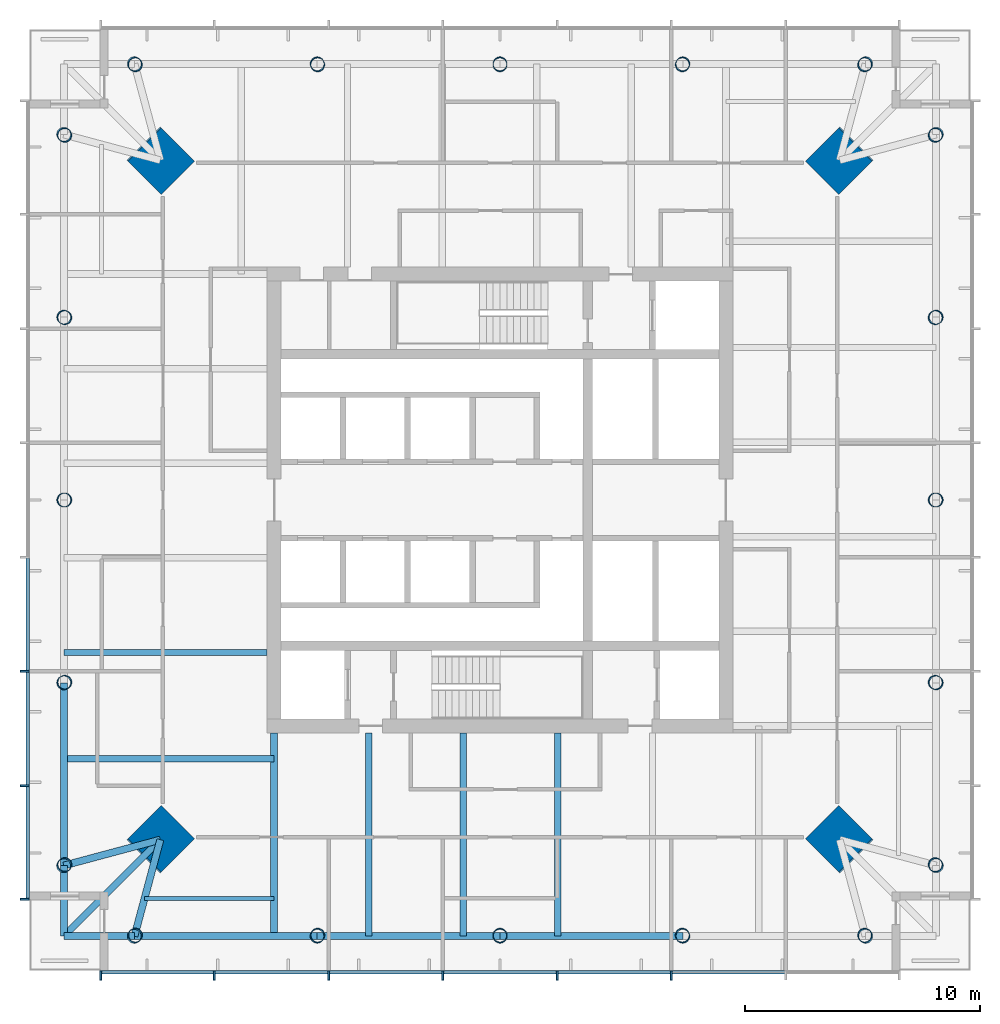
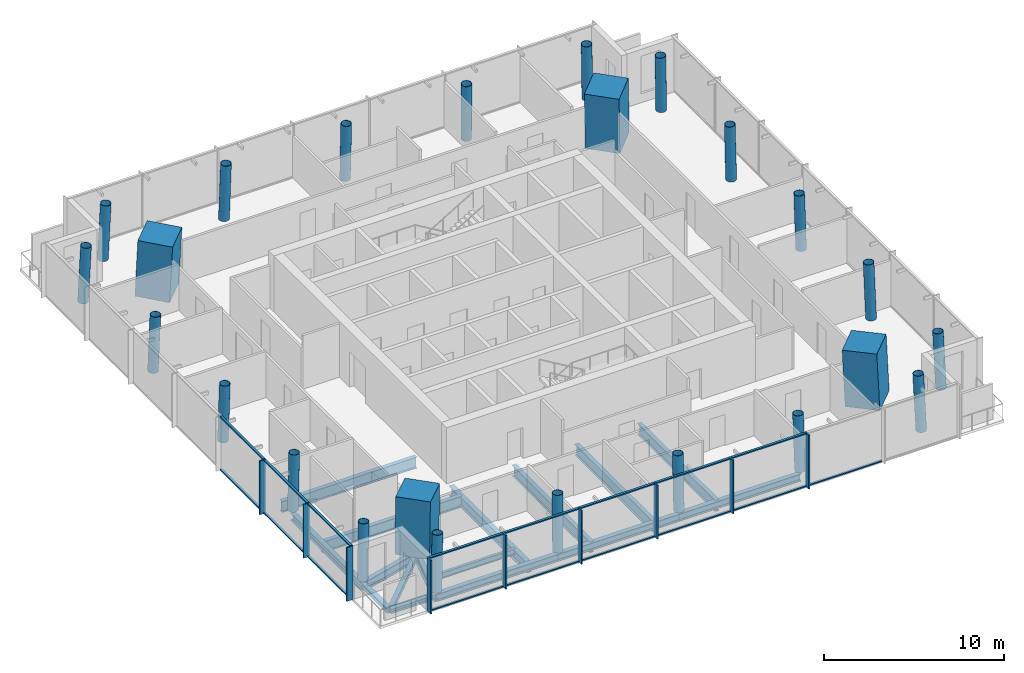
# One storey, part 1 of 9: 26 members, 24 columns, 16 beams, 2 elements without a shape of their own.
"""IFC4 building model written with IfcOpenShell, lengths in metres."""

import ifcopenshell
import ifcopenshell.guid

model = None  # the IFC model being written
_history = None  # IfcOwnerHistory: only IFC2X3 demands one
_inside = {}  # id of a spatial element -> (the spatial element, [elements in it])
_under = {}  # id of a project, library or spatial element -> (it, [spatial elements below it])
_declared = {}  # id of a project -> (the project, [libraries it declares])
_typed = {}  # id of a type object -> (the type object, [elements of that type])
_made_of = {}  # id of a material, layer set ... -> (it, [elements and type objects made of it])


def new_model(schema):
    """Start an empty IFC model of exactly this schema.

    Asked for "IFC4X3", IfcOpenShell would pick the latest addendum, in which some entities
    have other attributes; the version numbers below select the first issue.
    IFC2X3 requires an IfcOwnerHistory on every rooted entity: one is made here for all.
    """
    global model, _history
    if schema == "IFC4X3":
        model = ifcopenshell.file(schema_version=(4, 3, 0, 0))
    else:
        model = ifcopenshell.file(schema=schema)
    _inside.clear()
    _under.clear()
    _declared.clear()
    _typed.clear()
    _made_of.clear()
    _history = None
    if model.schema == "IFC2X3":
        org = make("IfcOrganization", Name="unknown")
        user = make(
            "IfcPersonAndOrganization",
            ThePerson=make("IfcPerson", FamilyName="unknown"),
            TheOrganization=org,
        )
        app = make(
            "IfcApplication",
            ApplicationDeveloper=org,
            Version="unknown",
            ApplicationFullName="unknown",
            ApplicationIdentifier="unknown",
        )
        _history = make(
            "IfcOwnerHistory",
            OwningUser=user,
            OwningApplication=app,
            ChangeAction="ADDED",
            CreationDate=0,
        )
    return model


def make(cls, **values):
    """One entity of the class cls with the attributes given. An attribute that is None is left unset."""
    return model.create_entity(
        cls, **{name: value for name, value in values.items() if value is not None}
    )


def rooted(cls, **values):
    """An entity with a GlobalId (a new one), such as an element, a storey or a relation."""
    return make(cls, GlobalId=ifcopenshell.guid.new(), OwnerHistory=_history, **values)


def si_unit(unit_type, name, prefix=None):
    """IfcSIUnit, for example si_unit("LENGTHUNIT", "METRE", prefix="MILLI")."""
    return make("IfcSIUnit", UnitType=unit_type, Prefix=prefix, Name=name)


def assignment(units):
    """IfcUnitAssignment: the units of a project."""
    return None if units is None else make("IfcUnitAssignment", Units=units)


def point(xyz):
    """IfcCartesianPoint."""
    return None if xyz is None else make("IfcCartesianPoint", Coordinates=xyz)


def direction(xyz):
    """IfcDirection."""
    return None if xyz is None else make("IfcDirection", DirectionRatios=xyz)


def frame(location, z_axis=None, x_axis=None):
    """IfcAxis2Placement3D, a coordinate frame: its origin and axes. An axis left out is left unset."""
    return make(
        "IfcAxis2Placement3D",
        Location=point(location),
        Axis=direction(z_axis),
        RefDirection=direction(x_axis),
    )


def frame_2d(location, x_axis=None):
    """IfcAxis2Placement2D, a coordinate frame in the plane: its origin and x axis."""
    return make(
        "IfcAxis2Placement2D", Location=point(location), RefDirection=direction(x_axis)
    )


def origin():
    """The frame at (0, 0, 0) with its axes left unset."""
    return frame((0.0, 0.0, 0.0))


def origin_2d():
    """The frame at (0, 0) in the plane with its x axis left unset."""
    return frame_2d((0.0, 0.0))


def place(relative_to, where):
    """IfcLocalPlacement: puts the frame where relative to a parent placement (None: the world)."""
    return make(
        "IfcLocalPlacement", PlacementRelTo=relative_to, RelativePlacement=where
    )


def context(
    kind, dimensions, precision=None, world=None, true_north=None, identifier=None
):
    """IfcGeometricRepresentationContext, for example the 3D "Model" context."""
    return make(
        "IfcGeometricRepresentationContext",
        ContextIdentifier=identifier,
        ContextType=kind,
        CoordinateSpaceDimension=dimensions,
        Precision=precision,
        WorldCoordinateSystem=world,
        TrueNorth=true_north,
    )


def subcontext(parent, identifier, kind, view, scale=None):
    """IfcGeometricRepresentationSubContext, for example "Body" below "Model"."""
    return make(
        "IfcGeometricRepresentationSubContext",
        ContextIdentifier=identifier,
        ContextType=kind,
        ParentContext=parent,
        TargetScale=scale,
        TargetView=view,
    )


def project(units=None, contexts=None):
    """IfcProject with its units and contexts."""
    return rooted(
        "IfcProject",
        Name="project",
        RepresentationContexts=contexts,
        UnitsInContext=assignment(units),
    )


def spatial(cls, under=None, at=None, **own):
    """A site, building, storey or space (cls), placed at a placement, below another one or the project."""
    s = rooted(cls, ObjectPlacement=at, **own)
    if under is not None:
        _under.setdefault(under.id(), (under, []))[1].append(s)
    return s


def profile(cls, at=None, kind="AREA", **sizes):
    """A parametric profile (cls). Its sizes go by their IFC names, for example OverallWidth=200.0."""
    return make(cls, ProfileType=kind, Position=at, **sizes)


def rectangle(**sizes):
    """IfcRectangleProfileDef."""
    return profile("IfcRectangleProfileDef", **sizes)


def hollow_circle(**sizes):
    """IfcCircleHollowProfileDef."""
    return profile("IfcCircleHollowProfileDef", **sizes)


def i_section(**sizes):
    """IfcIShapeProfileDef."""
    return profile("IfcIShapeProfileDef", **sizes)


def extrude(swept, where, along, depth):
    """IfcExtrudedAreaSolid: the profile swept, set in the frame where, extruded along a direction by depth."""
    return make(
        "IfcExtrudedAreaSolid",
        SweptArea=swept,
        Position=where,
        ExtrudedDirection=direction(along),
        Depth=depth,
    )


def shape(context_of_items, identifier, shape_type, items):
    """IfcShapeRepresentation: the items that make up one representation, for example the "Body"."""
    return make(
        "IfcShapeRepresentation",
        ContextOfItems=context_of_items,
        RepresentationIdentifier=identifier,
        RepresentationType=shape_type,
        Items=items,
    )


def material(Name=None, Category=None):
    """IfcMaterial."""
    return make("IfcMaterial", Name=Name, Category=Category)


def material_profile(
    of_material, cross_section, Name=None, Category=None, Priority=None
):
    """IfcMaterialProfile: a cross section and its material."""
    return make(
        "IfcMaterialProfile",
        Name=Name,
        Material=of_material,
        Profile=cross_section,
        Priority=Priority,
        Category=Category,
    )


def profile_set(profiles, Name=None, composite=None):
    """IfcMaterialProfileSet."""
    return make(
        "IfcMaterialProfileSet",
        Name=Name,
        MaterialProfiles=profiles,
        CompositeProfile=composite,
    )


def made_of(thing, what):
    """Note that an element or type object is made of a material, layer set ...; save() writes the relation."""
    if what is not None:
        _made_of.setdefault(what.id(), (what, []))[1].append(thing)
    return thing


def type_object(cls, material=None, **own):
    """A type object (cls), such as IfcWallType, which elements share."""
    return made_of(rooted(cls, **own), material)


def element(
    cls,
    number,
    at=None,
    inside=None,
    cuts=None,
    type_object=None,
    material=None,
    context=None,
    identifier="Body",
    shape_type=None,
    held_by="IfcProductDefinitionShape",
    body=None,
    shapes=None,
    **own,
):
    """One element of the class cls, such as IfcWall. Its Tag is "e" and its number.

    at: its placement. inside: the storey or other place that contains it. cuts: it is an
    opening in that element (IfcRelVoidsElement). A single representation is given by context,
    identifier, shape_type and body (its items); several are given by shapes. held_by: the class
    of the entity that holds the representations. save() writes the other relations.
    """
    e = rooted(cls, Tag="e%d" % number, ObjectPlacement=at, **own)
    if body is not None:
        shapes = [shape(context, identifier, shape_type, body)]
    if shapes is not None:
        e.Representation = make(held_by, Representations=shapes)
    if inside is not None:
        _inside.setdefault(inside.id(), (inside, []))[1].append(e)
    if cuts is not None:
        rooted(
            "IfcRelVoidsElement", RelatingBuildingElement=cuts, RelatedOpeningElement=e
        )
    if type_object is not None:
        _typed.setdefault(type_object.id(), (type_object, []))[1].append(e)
    return made_of(e, material)


def aggregate(whole, parts):
    """IfcRelAggregates: a whole, such as a stair, and the parts it consists of."""
    return rooted("IfcRelAggregates", RelatingObject=whole, RelatedObjects=parts)


def save(model, path):
    """Write the relations noted so far, then the file.

    IfcRelAggregates (storeys below a building ...), IfcRelContainedInSpatialStructure (elements
    in a storey), IfcRelDefinesByType, IfcRelAssociatesMaterial and IfcRelDeclares: one each for
    every whole, place, type object, material and project.
    """
    for whole, parts in _under.values():
        aggregate(whole, parts)
    for where, things in _inside.values():
        rooted(
            "IfcRelContainedInSpatialStructure",
            RelatedElements=things,
            RelatingStructure=where,
        )
    for kind, things in _typed.values():
        rooted("IfcRelDefinesByType", RelatedObjects=things, RelatingType=kind)
    for what, things in _made_of.values():
        rooted("IfcRelAssociatesMaterial", RelatedObjects=things, RelatingMaterial=what)
    for by, libraries in _declared.values():
        rooted("IfcRelDeclares", RelatingContext=by, RelatedDefinitions=libraries)
    model.write(path)


model = new_model("IFC4")

# Units and contexts
model_context = context("Model", 3, precision=1e-05, world=origin(), true_north=direction((0.0, 1.0)))
body_context = subcontext(model_context, "Body", "Model", "MODEL_VIEW")
ifc_project = project(units=[si_unit("LENGTHUNIT", "METRE"), si_unit("AREAUNIT", "SQUARE_METRE"), si_unit("VOLUMEUNIT", "CUBIC_METRE"), si_unit("PLANEANGLEUNIT", "RADIAN"), si_unit("MASSUNIT", "GRAM", prefix="KILO")], contexts=[model_context])

# Site, building, storey
site_placement = place(None, origin())
site = spatial("IfcSite", under=ifc_project, at=site_placement, CompositionType="ELEMENT")
building_placement = place(site_placement, origin())
building = spatial("IfcBuilding", under=site, at=building_placement, Name="Ostroluk Exchange", CompositionType="ELEMENT")
storey_placement = place(building_placement, frame((0.0, 0.0, 192.0)))
storey = spatial("IfcBuildingStorey", under=building, at=storey_placement, Name="L49", CompositionType="ELEMENT", Elevation=192.0)

# Columns
ifc_material_1 = material(Name="Concrete C50/60", Category="concrete")
ifc_material_profile_1 = material_profile(ifc_material_1, rectangle(XDim=2.0, YDim=2.0, at=origin_2d()), Name="RC 2000x2000")
ifc_profile_set_1 = profile_set([ifc_material_profile_1], Name="Concrete C50/60")
column_type_1 = type_object("IfcColumnType", Name="Mega column RC 2000x2000", PredefinedType="COLUMN", material=ifc_profile_set_1)
for number, where, z_axis, x_axis, name in (
    (1, (59.435791015625, 60.435791015625, 0.0), (-0.031962158256, -0.031962158256, 0.998977898093), (0.707106781187, -0.707106781187, 0.0), "T1 mega column NE"),
    (2, (30.564208984375, 60.435791015625, 0.0), (0.031962158256, -0.031962158256, 0.998977898093), (0.707106781187, 0.707106781187, 0.0), "T1 mega column NW"),
    (3, (30.564208984375, 31.564208984375, 0.0), (0.031962158256, 0.031962158256, 0.998977898093), (-0.707106781187, 0.707106781187, 0.0), "T1 mega column SW"),
    (4, (59.435791015625, 31.564208984375, 0.0), (-0.031962158256, 0.031962158256, 0.998977898093), (-0.707106781187, -0.707106781187, 0.0), "T1 mega column SE"),
):
    element("IfcColumn", number, at=place(storey_placement, frame(where, z_axis=z_axis, x_axis=x_axis)), inside=storey, type_object=column_type_1, Name=name, PredefinedType="COLUMN", context=body_context, shape_type="SweptSolid", body=[
        extrude(rectangle(XDim=2.0, YDim=2.0, at=origin_2d()), origin(), (0.0, 0.0, 1.0), 3.803955078125),
    ])
ifc_material_2 = material(Name="Steel S460", Category="steel")
ifc_material_profile_2 = material_profile(ifc_material_2, hollow_circle(Radius=0.304931640625, WallThickness=0.02490234375, at=origin_2d()), Name="CHS 610x25")
ifc_profile_set_2 = profile_set([ifc_material_profile_2], Name="Steel S460")
column_type_2 = type_object("IfcColumnType", Name="Perimeter column CHS 610x25", PredefinedType="COLUMN", material=ifc_profile_set_2)
for number, where, z_axis, x_axis, name in (
    (5, (63.53564453125, 30.46435546875, 0.0), (-0.031898107953, 0.031898107953, 0.998981992539), (-0.707106781187, -0.707106781187, 0.0), "T1 east face column E0"),
    (6, (63.53564453125, 61.53564453125, 0.0), (-0.031898107953, -0.031898107953, 0.998981992539), (0.707106781187, -0.707106781187, 0.0), "T1 east face column E1"),
):
    element("IfcColumn", number, at=place(storey_placement, frame(where, z_axis=z_axis, x_axis=x_axis)), inside=storey, type_object=column_type_2, Name=name, PredefinedType="COLUMN", context=body_context, shape_type="SweptSolid", body=[
        extrude(hollow_circle(Radius=0.304931640625, WallThickness=0.02490234375, at=origin_2d()), origin(), (0.0, 0.0, 1.0), 3.803955078125),
    ])
column_1_placement = place(storey_placement, frame((63.53564453125, 38.232177734375, 0.0), z_axis=(-0.031910269556, 0.015987237665, 0.999362868496), x_axis=(-0.447933021895, -0.894067115991, 0.0)))
element("IfcColumn", 7, at=column_1_placement, inside=storey, type_object=column_type_2, Name="T1 east face column I1", PredefinedType="COLUMN", context=body_context, shape_type="SweptSolid", body=[
    extrude(hollow_circle(Radius=0.304931640625, WallThickness=0.02490234375, at=origin_2d()), origin(), (0.0, 0.0, 1.0), 3.802490234375),
])
column_2_placement = place(storey_placement, frame((63.53564453125, 46.0, 0.0), z_axis=(-0.031914348339, 0.0, 0.999490607445), x_axis=(0.0, -1.0, 0.0)))
element("IfcColumn", 8, at=column_2_placement, inside=storey, type_object=column_type_2, Name="T1 east face column I2", PredefinedType="COLUMN", context=body_context, shape_type="SweptSolid", body=[
    extrude(hollow_circle(Radius=0.304931640625, WallThickness=0.02490234375, at=origin_2d()), origin(), (0.0, 0.0, 1.0), 3.802001953125),
])
column_3_placement = place(storey_placement, frame((63.53564453125, 53.767822265625, 0.0), z_axis=(-0.031910269556, -0.015987237665, 0.999362868496), x_axis=(0.447933021895, -0.894067115991, 0.0)))
element("IfcColumn", 9, at=column_3_placement, inside=storey, type_object=column_type_2, Name="T1 east face column I3", PredefinedType="COLUMN", context=body_context, shape_type="SweptSolid", body=[
    extrude(hollow_circle(Radius=0.304931640625, WallThickness=0.02490234375, at=origin_2d()), origin(), (0.0, 0.0, 1.0), 3.802490234375),
])
for number, where, z_axis, x_axis, name in (
    (10, (60.53564453125, 64.53564453125, 0.0), (-0.031898107953, -0.031898107953, 0.998981992539), (0.707106781187, -0.707106781187, 0.0), "T1 north face column E0"),
    (11, (29.46435546875, 64.53564453125, 0.0), (0.031898107953, -0.031898107953, 0.998981992539), (0.707106781187, 0.707106781187, 0.0), "T1 north face column E1"),
):
    element("IfcColumn", number, at=place(storey_placement, frame(where, z_axis=z_axis, x_axis=x_axis)), inside=storey, type_object=column_type_2, Name=name, PredefinedType="COLUMN", context=body_context, shape_type="SweptSolid", body=[
        extrude(hollow_circle(Radius=0.304931640625, WallThickness=0.02490234375, at=origin_2d()), origin(), (0.0, 0.0, 1.0), 3.803955078125),
    ])
column_4_placement = place(storey_placement, frame((52.767822265625, 64.53564453125, 0.0), z_axis=(-0.015987237665, -0.031910269556, 0.999362868496), x_axis=(0.894067115991, -0.447933021895, 0.0)))
element("IfcColumn", 12, at=column_4_placement, inside=storey, type_object=column_type_2, Name="T1 north face column I1", PredefinedType="COLUMN", context=body_context, shape_type="SweptSolid", body=[
    extrude(hollow_circle(Radius=0.304931640625, WallThickness=0.02490234375, at=origin_2d()), origin(), (0.0, 0.0, 1.0), 3.802490234375),
])
column_5_placement = place(storey_placement, frame((45.0, 64.53564453125, 0.0), z_axis=(0.0, -0.031914348339, 0.999490607445), x_axis=(1.0, 0.0, 0.0)))
element("IfcColumn", 13, at=column_5_placement, inside=storey, type_object=column_type_2, Name="T1 north face column I2", PredefinedType="COLUMN", context=body_context, shape_type="SweptSolid", body=[
    extrude(hollow_circle(Radius=0.304931640625, WallThickness=0.02490234375, at=origin_2d()), origin(), (0.0, 0.0, 1.0), 3.802001953125),
])
column_6_placement = place(storey_placement, frame((37.232177734375, 64.53564453125, 0.0), z_axis=(0.015987237665, -0.031910269556, 0.999362868496), x_axis=(0.894067115991, 0.447933021895, 0.0)))
element("IfcColumn", 14, at=column_6_placement, inside=storey, type_object=column_type_2, Name="T1 north face column I3", PredefinedType="COLUMN", context=body_context, shape_type="SweptSolid", body=[
    extrude(hollow_circle(Radius=0.304931640625, WallThickness=0.02490234375, at=origin_2d()), origin(), (0.0, 0.0, 1.0), 3.802490234375),
])
for number, where, z_axis, x_axis, name in (
    (15, (26.46435546875, 61.53564453125, 0.0), (0.031898107953, -0.031898107953, 0.998981992539), (0.707106781187, 0.707106781187, 0.0), "T1 west face column E0"),
    (16, (26.46435546875, 30.46435546875, 0.0), (0.031898107953, 0.031898107953, 0.998981992539), (-0.707106781187, 0.707106781187, 0.0), "T1 west face column E1"),
):
    element("IfcColumn", number, at=place(storey_placement, frame(where, z_axis=z_axis, x_axis=x_axis)), inside=storey, type_object=column_type_2, Name=name, PredefinedType="COLUMN", context=body_context, shape_type="SweptSolid", body=[
        extrude(hollow_circle(Radius=0.304931640625, WallThickness=0.02490234375, at=origin_2d()), origin(), (0.0, 0.0, 1.0), 3.803955078125),
    ])
column_7_placement = place(storey_placement, frame((26.46435546875, 53.767822265625, 0.0), z_axis=(0.031910269556, -0.015987237665, 0.999362868496), x_axis=(0.447933021895, 0.894067115991, 0.0)))
element("IfcColumn", 17, at=column_7_placement, inside=storey, type_object=column_type_2, Name="T1 west face column I1", PredefinedType="COLUMN", context=body_context, shape_type="SweptSolid", body=[
    extrude(hollow_circle(Radius=0.304931640625, WallThickness=0.02490234375, at=origin_2d()), origin(), (0.0, 0.0, 1.0), 3.802490234375),
])
column_8_placement = place(storey_placement, frame((26.46435546875, 46.0, 0.0), z_axis=(0.031914348339, 0.0, 0.999490607445), x_axis=(0.0, 1.0, 0.0)))
element("IfcColumn", 18, at=column_8_placement, inside=storey, type_object=column_type_2, Name="T1 west face column I2", PredefinedType="COLUMN", context=body_context, shape_type="SweptSolid", body=[
    extrude(hollow_circle(Radius=0.304931640625, WallThickness=0.02490234375, at=origin_2d()), origin(), (0.0, 0.0, 1.0), 3.802001953125),
])
column_9_placement = place(storey_placement, frame((26.46435546875, 38.232177734375, 0.0), z_axis=(0.031910269556, 0.015987237665, 0.999362868496), x_axis=(-0.447933021895, 0.894067115991, 0.0)))
element("IfcColumn", 19, at=column_9_placement, inside=storey, type_object=column_type_2, Name="T1 west face column I3", PredefinedType="COLUMN", context=body_context, shape_type="SweptSolid", body=[
    extrude(hollow_circle(Radius=0.304931640625, WallThickness=0.02490234375, at=origin_2d()), origin(), (0.0, 0.0, 1.0), 3.802490234375),
])
for number, where, z_axis, x_axis, name in (
    (20, (29.46435546875, 27.46435546875, 0.0), (0.031898107953, 0.031898107953, 0.998981992539), (-0.707106781187, 0.707106781187, 0.0), "T1 south face column E0"),
    (21, (60.53564453125, 27.46435546875, 0.0), (-0.031898107953, 0.031898107953, 0.998981992539), (-0.707106781187, -0.707106781187, 0.0), "T1 south face column E1"),
):
    element("IfcColumn", number, at=place(storey_placement, frame(where, z_axis=z_axis, x_axis=x_axis)), inside=storey, type_object=column_type_2, Name=name, PredefinedType="COLUMN", context=body_context, shape_type="SweptSolid", body=[
        extrude(hollow_circle(Radius=0.304931640625, WallThickness=0.02490234375, at=origin_2d()), origin(), (0.0, 0.0, 1.0), 3.803955078125),
    ])
column_10_placement = place(storey_placement, frame((37.232177734375, 27.46435546875, 0.0), z_axis=(0.015987237665, 0.031910269556, 0.999362868496), x_axis=(-0.894067115991, 0.447933021895, 0.0)))
element("IfcColumn", 22, at=column_10_placement, inside=storey, type_object=column_type_2, Name="T1 south face column I1", PredefinedType="COLUMN", context=body_context, shape_type="SweptSolid", body=[
    extrude(hollow_circle(Radius=0.304931640625, WallThickness=0.02490234375, at=origin_2d()), origin(), (0.0, 0.0, 1.0), 3.802490234375),
])
column_11_placement = place(storey_placement, frame((45.0, 27.46435546875, 0.0), z_axis=(0.0, 0.031914348339, 0.999490607445), x_axis=(-1.0, 0.0, 0.0)))
element("IfcColumn", 23, at=column_11_placement, inside=storey, type_object=column_type_2, Name="T1 south face column I2", PredefinedType="COLUMN", context=body_context, shape_type="SweptSolid", body=[
    extrude(hollow_circle(Radius=0.304931640625, WallThickness=0.02490234375, at=origin_2d()), origin(), (0.0, 0.0, 1.0), 3.802001953125),
])
column_12_placement = place(storey_placement, frame((52.767822265625, 27.46435546875, 0.0), z_axis=(-0.015987237665, 0.031910269556, 0.999362868496), x_axis=(-0.894067115991, -0.447933021895, 0.0)))
element("IfcColumn", 24, at=column_12_placement, inside=storey, type_object=column_type_2, Name="T1 south face column I3", PredefinedType="COLUMN", context=body_context, shape_type="SweptSolid", body=[
    extrude(hollow_circle(Radius=0.304931640625, WallThickness=0.02490234375, at=origin_2d()), origin(), (0.0, 0.0, 1.0), 3.802490234375),
])

# Beams
ifc_material_3 = material(Name="Steel S355", Category="steel")
ifc_material_profile_3 = material_profile(ifc_material_3, i_section(OverallWidth=0.300048828125, OverallDepth=0.300048828125, WebThickness=0.010986328125, FlangeThickness=0.01904296875, FilletRadius=0.027099609375, at=origin_2d()), Name="HEB 300")
ifc_profile_set_3 = profile_set([ifc_material_profile_3], Name="Steel S355")
beam_type_1 = type_object("IfcBeamType", Name="Balcony beam HEB 300", PredefinedType="BEAM", material=ifc_profile_set_3)
for number, where, z_axis, x_axis, name in (
    (25, (26.46435546875, 30.46435546875, -0.330078125), (0.0, -1.0, 0.0), (1.0, 0.0, 0.0), "T1 west balcony beam a"),
    (26, (29.46435546875, 27.46435546875, -0.330078125), (-1.0, 0.0, 0.0), (0.0, -1.0, 0.0), "T1 west balcony beam b"),
):
    element("IfcBeam", number, at=place(storey_placement, frame(where, z_axis=z_axis, x_axis=x_axis)), inside=storey, type_object=beam_type_1, Name=name, PredefinedType="BEAM", context=body_context, shape_type="SweptSolid", body=[
        extrude(i_section(OverallWidth=0.300048828125, OverallDepth=0.300048828125, WebThickness=0.010986328125, FlangeThickness=0.01904296875, FilletRadius=0.027099609375, at=origin_2d()), origin(), (0.0, 0.0, 1.0), 3.0),
    ])
beam_1_placement = place(storey_placement, frame((30.564208984375, 31.564208984375, -0.330078125), z_axis=(-0.707106781187, -0.707106781187, 0.0), x_axis=(0.707106781187, -0.707106781187, 0.0)))
element("IfcBeam", 27, at=beam_1_placement, inside=storey, type_object=beam_type_1, Name="T1 west balcony beam c", PredefinedType="BEAM", context=body_context, shape_type="SweptSolid", body=[
    extrude(i_section(OverallWidth=0.300048828125, OverallDepth=0.300048828125, WebThickness=0.010986328125, FlangeThickness=0.01904296875, FilletRadius=0.027099609375, at=origin_2d()), origin(), (0.0, 0.0, 1.0), 5.798095703125),
])
ifc_material_4 = material(Name="Steel S355", Category="steel")
ifc_material_profile_4 = material_profile(ifc_material_4, i_section(OverallWidth=0.300048828125, OverallDepth=0.60009765625, WebThickness=0.015380859375, FlangeThickness=0.030029296875, FilletRadius=0.027099609375, at=origin_2d()), Name="HEB 600")
ifc_profile_set_4 = profile_set([ifc_material_profile_4], Name="Steel S355")
beam_type_2 = type_object("IfcBeamType", Name="Corner edge beam HEB 600", PredefinedType="SPANDREL", material=ifc_profile_set_4)
for number, where, z_axis, x_axis, name in (
    (28, (30.564208984375, 31.564208984375, -0.47998046875), (-0.965849156574, -0.259105011038, 0.0), (0.259105011038, -0.965849156574, 0.0), "T1 west corner edge beam a"),
    (29, (30.564208984375, 31.564208984375, -0.47998046875), (-0.259105011038, -0.965849156574, 0.0), (0.965849156574, -0.259105011038, 0.0), "T1 west corner edge beam b"),
):
    element("IfcBeam", number, at=place(storey_placement, frame(where, z_axis=z_axis, x_axis=x_axis)), inside=storey, type_object=beam_type_2, Name=name, PredefinedType="SPANDREL", context=body_context, shape_type="SweptSolid", body=[
        extrude(i_section(OverallWidth=0.300048828125, OverallDepth=0.60009765625, WebThickness=0.015380859375, FlangeThickness=0.030029296875, FilletRadius=0.027099609375, at=origin_2d()), origin(), (0.0, 0.0, 1.0), 4.244873046875),
    ])
ifc_material_5 = material(Name="Steel S355", Category="steel")
ifc_material_profile_5 = material_profile(ifc_material_5, i_section(OverallWidth=0.179931640625, OverallDepth=0.39990234375, WebThickness=0.008544921875, FlangeThickness=0.013427734375, FilletRadius=0.02099609375, at=origin_2d()), Name="IPE 400")
ifc_profile_set_5 = profile_set([ifc_material_profile_5], Name="Steel S355")
beam_type_3 = type_object("IfcBeamType", Name="Floor beam IPE 400", PredefinedType="BEAM", material=ifc_profile_set_5)
beam_2_placement = place(storey_placement, frame((35.39990234375, 29.064208984375, -0.3798828125), z_axis=(-1.0, 0.0, 0.0), x_axis=(0.0, -1.0, 0.0)))
element("IfcBeam", 30, at=beam_2_placement, inside=storey, type_object=beam_type_3, Name="T1 west floor beam 6", PredefinedType="BEAM", context=body_context, shape_type="SweptSolid", body=[
    extrude(i_section(OverallWidth=0.179931640625, OverallDepth=0.39990234375, WebThickness=0.008544921875, FlangeThickness=0.013427734375, FilletRadius=0.02099609375, at=origin_2d()), origin(), (0.0, 0.0, 1.0), 5.50634765625),
])
ifc_material_6 = material(Name="Steel S355", Category="steel")
ifc_material_profile_6 = material_profile(ifc_material_6, i_section(OverallWidth=0.264892578125, OverallDepth=0.7529296875, WebThickness=0.01318359375, FlangeThickness=0.01708984375, FilletRadius=0.01708984375, at=origin_2d()), Name="IPE 750x147")
ifc_profile_set_6 = profile_set([ifc_material_profile_6], Name="Steel S355")
beam_type_4 = type_object("IfcBeamType", Name="Floor beam IPE 750x147", PredefinedType="BEAM", material=ifc_profile_set_6)
beam_3_placement = place(storey_placement, frame((35.10009765625, 39.5224609375, -0.556396484375), z_axis=(-1.0, 0.0, 0.0), x_axis=(0.0, -1.0, 0.0)))
element("IfcBeam", 31, at=beam_3_placement, inside=storey, type_object=beam_type_4, Name="T1 west floor beam 4", PredefinedType="BEAM", context=body_context, shape_type="SweptSolid", body=[
    extrude(i_section(OverallWidth=0.264892578125, OverallDepth=0.7529296875, WebThickness=0.01318359375, FlangeThickness=0.01708984375, FilletRadius=0.01708984375, at=origin_2d()), origin(), (0.0, 0.0, 1.0), 8.6357421875),
])
beam_4_placement = place(storey_placement, frame((35.39990234375, 35.0, -0.556396484375), z_axis=(-1.0, 0.0, 0.0), x_axis=(0.0, -1.0, 0.0)))
element("IfcBeam", 32, at=beam_4_placement, inside=storey, type_object=beam_type_4, Name="T1 west floor beam 5", PredefinedType="BEAM", context=body_context, shape_type="SweptSolid", body=[
    extrude(i_section(OverallWidth=0.264892578125, OverallDepth=0.7529296875, WebThickness=0.01318359375, FlangeThickness=0.01708984375, FilletRadius=0.01708984375, at=origin_2d()), origin(), (0.0, 0.0, 1.0), 8.935546875),
])
for number, where, z_axis, x_axis, name in (
    (33, (39.41943359375, 36.10009765625, -0.556396484375), (0.0, -1.0, 0.0), (1.0, 0.0, 0.0), "T1 south floor beam 1"),
    (34, (43.438720703125, 36.10009765625, -0.556396484375), (0.0, -1.0, 0.0), (1.0, 0.0, 0.0), "T1 south floor beam 2"),
    (35, (47.458251953125, 36.10009765625, -0.556396484375), (0.0, -1.0, 0.0), (1.0, 0.0, 0.0), "T1 south floor beam 3"),
):
    element("IfcBeam", number, at=place(storey_placement, frame(where, z_axis=z_axis, x_axis=x_axis)), inside=storey, type_object=beam_type_4, Name=name, PredefinedType="BEAM", context=body_context, shape_type="SweptSolid", body=[
        extrude(i_section(OverallWidth=0.264892578125, OverallDepth=0.7529296875, WebThickness=0.01318359375, FlangeThickness=0.01708984375, FilletRadius=0.01708984375, at=origin_2d()), origin(), (0.0, 0.0, 1.0), 8.6357421875),
    ])
ifc_material_7 = material(Name="Steel S355", Category="steel")
ifc_material_profile_7 = material_profile(ifc_material_7, i_section(OverallWidth=0.300048828125, OverallDepth=0.699951171875, WebThickness=0.01708984375, FlangeThickness=0.031982421875, FilletRadius=0.027099609375, at=origin_2d()), Name="HEB 700")
ifc_profile_set_7 = profile_set([ifc_material_profile_7], Name="Steel S355")
beam_type_5 = type_object("IfcBeamType", Name="Girder HEB 700", PredefinedType="BEAM", material=ifc_profile_set_7)
beam_5_placement = place(storey_placement, frame((35.39990234375, 36.10009765625, -0.530029296875), z_axis=(0.0, -1.0, 0.0), x_axis=(1.0, 0.0, 0.0)))
element("IfcBeam", 36, at=beam_5_placement, inside=storey, type_object=beam_type_5, Name="T1 west girder", PredefinedType="BEAM", context=body_context, shape_type="SweptSolid", body=[
    extrude(i_section(OverallWidth=0.300048828125, OverallDepth=0.699951171875, WebThickness=0.01708984375, FlangeThickness=0.031982421875, FilletRadius=0.027099609375, at=origin_2d()), origin(), (0.0, 0.0, 1.0), 8.6357421875),
])
ifc_material_8 = material(Name="Steel S355", Category="steel")
ifc_material_profile_8 = material_profile(ifc_material_8, i_section(OverallWidth=0.300048828125, OverallDepth=0.5, WebThickness=0.014404296875, FlangeThickness=0.028076171875, FilletRadius=0.027099609375, at=origin_2d()), Name="HEB 500")
ifc_profile_set_8 = profile_set([ifc_material_profile_8], Name="Steel S355")
beam_type_6 = type_object("IfcBeamType", Name="Moment-connected edge beam HEB 500", PredefinedType="SPANDREL", material=ifc_profile_set_8)
for number, where, z_axis, x_axis, name in (
    (37, (26.46435546875, 38.232177734375, -0.429931640625), (0.0, -1.0, 0.0), (1.0, 0.0, 0.0), "T1 west edge beam 4"),
    (38, (29.46435546875, 27.46435546875, -0.429931640625), (1.0, 0.0, 0.0), (0.0, 1.0, 0.0), "T1 south edge beam 1"),
    (39, (37.232177734375, 27.46435546875, -0.429931640625), (1.0, 0.0, 0.0), (0.0, 1.0, 0.0), "T1 south edge beam 2"),
    (40, (45.0, 27.46435546875, -0.429931640625), (1.0, 0.0, 0.0), (0.0, 1.0, 0.0), "T1 south edge beam 3"),
):
    element("IfcBeam", number, at=place(storey_placement, frame(where, z_axis=z_axis, x_axis=x_axis)), inside=storey, type_object=beam_type_6, Name=name, PredefinedType="SPANDREL", context=body_context, shape_type="SweptSolid", body=[
        extrude(i_section(OverallWidth=0.300048828125, OverallDepth=0.5, WebThickness=0.014404296875, FlangeThickness=0.028076171875, FilletRadius=0.027099609375, at=origin_2d()), origin(), (0.0, 0.0, 1.0), 7.767822265625),
    ])

# Curtain wall, members
ifc_material_9 = material(Name="Laminated clear glass", Category="glass")
curtain_wall_type = type_object("IfcCurtainWallType", Name="Office tower facade", PredefinedType="USERDEFINED", material=ifc_material_9)
curtain_wall_1_placement = place(storey_placement, origin())
curtain_wall_1 = element("IfcCurtainWall", 41, at=curtain_wall_1_placement, inside=storey, type_object=curtain_wall_type, Name="Office tower south facade L49", ObjectType="UNITISED CURTAIN WALL", PredefinedType="USERDEFINED")
ifc_material_10 = material(Name="Aluminium mullion", Category="aluminium")
ifc_material_profile_9 = material_profile(ifc_material_10, rectangle(XDim=0.14990234375, YDim=0.080078125, at=origin_2d()), Name="Sill transom 80 x 150")
ifc_profile_set_9 = profile_set([ifc_material_profile_9], Name="Aluminium mullion")
member_type_1 = type_object("IfcMemberType", Name="Sill transom 80 x 150", PredefinedType="USERDEFINED", material=ifc_profile_set_9)
member_1_placement = place(storey_placement, frame((28.080078125, 25.925048828125, 0.0400390625), z_axis=(1.0, 0.0, 0.0), x_axis=(0.0, 1.0, 0.0)))
member_1 = element("IfcMember", 42, at=member_1_placement, type_object=member_type_1, Name="CW-O1 transom 1.1", ObjectType="TRANSOM", PredefinedType="USERDEFINED", context=body_context, shape_type="SweptSolid", body=[
    extrude(rectangle(XDim=0.14990234375, YDim=0.080078125, at=origin_2d()), origin(), (0.0, 0.0, 1.0), 4.737060546875),
])
member_2_placement = place(storey_placement, frame((28.080078125, 25.925048828125, 3.610107421875), z_axis=(1.0, 0.0, 0.0), x_axis=(0.0, 1.0, 0.0)))
member_2 = element("IfcMember", 43, at=member_2_placement, type_object=member_type_1, Name="CW-O1 transom 1.2", ObjectType="TRANSOM", PredefinedType="USERDEFINED", context=body_context, shape_type="SweptSolid", body=[
    extrude(rectangle(XDim=0.14990234375, YDim=0.080078125, at=origin_2d()), origin(), (0.0, 0.0, 1.0), 4.737060546875),
])
member_3_placement = place(storey_placement, frame((32.897216796875, 25.925048828125, 0.0400390625), z_axis=(1.0, 0.0, 0.0), x_axis=(0.0, 1.0, 0.0)))
member_3 = element("IfcMember", 44, at=member_3_placement, type_object=member_type_1, Name="CW-O1 transom 2.1", ObjectType="TRANSOM", PredefinedType="USERDEFINED", context=body_context, shape_type="SweptSolid", body=[
    extrude(rectangle(XDim=0.14990234375, YDim=0.080078125, at=origin_2d()), origin(), (0.0, 0.0, 1.0), 4.777099609375),
])
member_4_placement = place(storey_placement, frame((32.897216796875, 25.925048828125, 3.610107421875), z_axis=(1.0, 0.0, 0.0), x_axis=(0.0, 1.0, 0.0)))
member_4 = element("IfcMember", 45, at=member_4_placement, type_object=member_type_1, Name="CW-O1 transom 2.2", ObjectType="TRANSOM", PredefinedType="USERDEFINED", context=body_context, shape_type="SweptSolid", body=[
    extrude(rectangle(XDim=0.14990234375, YDim=0.080078125, at=origin_2d()), origin(), (0.0, 0.0, 1.0), 4.777099609375),
])
member_5_placement = place(storey_placement, frame((37.75439453125, 25.925048828125, 0.0400390625), z_axis=(1.0, 0.0, 0.0), x_axis=(0.0, 1.0, 0.0)))
member_5 = element("IfcMember", 46, at=member_5_placement, type_object=member_type_1, Name="CW-O1 transom 3.1", ObjectType="TRANSOM", PredefinedType="USERDEFINED", context=body_context, shape_type="SweptSolid", body=[
    extrude(rectangle(XDim=0.14990234375, YDim=0.080078125, at=origin_2d()), origin(), (0.0, 0.0, 1.0), 4.777099609375),
])
member_6_placement = place(storey_placement, frame((37.75439453125, 25.925048828125, 3.610107421875), z_axis=(1.0, 0.0, 0.0), x_axis=(0.0, 1.0, 0.0)))
member_6 = element("IfcMember", 47, at=member_6_placement, type_object=member_type_1, Name="CW-O1 transom 3.2", ObjectType="TRANSOM", PredefinedType="USERDEFINED", context=body_context, shape_type="SweptSolid", body=[
    extrude(rectangle(XDim=0.14990234375, YDim=0.080078125, at=origin_2d()), origin(), (0.0, 0.0, 1.0), 4.777099609375),
])
member_7_placement = place(storey_placement, frame((42.611328125, 25.925048828125, 0.0400390625), z_axis=(1.0, 0.0, 0.0), x_axis=(0.0, 1.0, 0.0)))
member_7 = element("IfcMember", 48, at=member_7_placement, type_object=member_type_1, Name="CW-O1 transom 4.1", ObjectType="TRANSOM", PredefinedType="USERDEFINED", context=body_context, shape_type="SweptSolid", body=[
    extrude(rectangle(XDim=0.14990234375, YDim=0.080078125, at=origin_2d()), origin(), (0.0, 0.0, 1.0), 4.77734375),
])
member_8_placement = place(storey_placement, frame((42.611328125, 25.925048828125, 3.610107421875), z_axis=(1.0, 0.0, 0.0), x_axis=(0.0, 1.0, 0.0)))
member_8 = element("IfcMember", 49, at=member_8_placement, type_object=member_type_1, Name="CW-O1 transom 4.2", ObjectType="TRANSOM", PredefinedType="USERDEFINED", context=body_context, shape_type="SweptSolid", body=[
    extrude(rectangle(XDim=0.14990234375, YDim=0.080078125, at=origin_2d()), origin(), (0.0, 0.0, 1.0), 4.77734375),
])
member_9_placement = place(storey_placement, frame((47.468505859375, 25.925048828125, 0.0400390625), z_axis=(1.0, 0.0, 0.0), x_axis=(0.0, 1.0, 0.0)))
member_9 = element("IfcMember", 50, at=member_9_placement, type_object=member_type_1, Name="CW-O1 transom 5.1", ObjectType="TRANSOM", PredefinedType="USERDEFINED", context=body_context, shape_type="SweptSolid", body=[
    extrude(rectangle(XDim=0.14990234375, YDim=0.080078125, at=origin_2d()), origin(), (0.0, 0.0, 1.0), 4.777099609375),
])
member_10_placement = place(storey_placement, frame((47.468505859375, 25.925048828125, 3.610107421875), z_axis=(1.0, 0.0, 0.0), x_axis=(0.0, 1.0, 0.0)))
member_10 = element("IfcMember", 51, at=member_10_placement, type_object=member_type_1, Name="CW-O1 transom 5.2", ObjectType="TRANSOM", PredefinedType="USERDEFINED", context=body_context, shape_type="SweptSolid", body=[
    extrude(rectangle(XDim=0.14990234375, YDim=0.080078125, at=origin_2d()), origin(), (0.0, 0.0, 1.0), 4.777099609375),
])
member_11_placement = place(storey_placement, frame((52.32568359375, 25.925048828125, 0.0400390625), z_axis=(1.0, 0.0, 0.0), x_axis=(0.0, 1.0, 0.0)))
member_11 = element("IfcMember", 52, at=member_11_placement, type_object=member_type_1, Name="CW-O1 transom 6.1", ObjectType="TRANSOM", PredefinedType="USERDEFINED", context=body_context, shape_type="SweptSolid", body=[
    extrude(rectangle(XDim=0.14990234375, YDim=0.080078125, at=origin_2d()), origin(), (0.0, 0.0, 1.0), 4.777099609375),
])

curtain_wall_2_placement = place(storey_placement, origin())
curtain_wall_2 = element("IfcCurtainWall", 53, at=curtain_wall_2_placement, inside=storey, type_object=curtain_wall_type, Name="Office tower west facade L49", ObjectType="UNITISED CURTAIN WALL", PredefinedType="USERDEFINED")
member_12_placement = place(storey_placement, frame((24.925048828125, 43.531494140625, 0.0400390625), z_axis=(0.0, -1.0, 0.0), x_axis=(1.0, 0.0, 0.0)))
member_12 = element("IfcMember", 54, at=member_12_placement, type_object=member_type_1, Name="CW-O1 transom 5.1", ObjectType="TRANSOM", PredefinedType="USERDEFINED", context=body_context, shape_type="SweptSolid", body=[
    extrude(rectangle(XDim=0.14990234375, YDim=0.080078125, at=origin_2d()), origin(), (0.0, 0.0, 1.0), 4.777099609375),
])
member_13_placement = place(storey_placement, frame((24.925048828125, 43.531494140625, 3.610107421875), z_axis=(0.0, -1.0, 0.0), x_axis=(1.0, 0.0, 0.0)))
member_13 = element("IfcMember", 55, at=member_13_placement, type_object=member_type_1, Name="CW-O1 transom 5.2", ObjectType="TRANSOM", PredefinedType="USERDEFINED", context=body_context, shape_type="SweptSolid", body=[
    extrude(rectangle(XDim=0.14990234375, YDim=0.080078125, at=origin_2d()), origin(), (0.0, 0.0, 1.0), 4.777099609375),
])
member_14_placement = place(storey_placement, frame((24.925048828125, 38.67431640625, 0.0400390625), z_axis=(0.0, -1.0, 0.0), x_axis=(1.0, 0.0, 0.0)))
member_14 = element("IfcMember", 56, at=member_14_placement, type_object=member_type_1, Name="CW-O1 transom 6.1", ObjectType="TRANSOM", PredefinedType="USERDEFINED", context=body_context, shape_type="SweptSolid", body=[
    extrude(rectangle(XDim=0.14990234375, YDim=0.080078125, at=origin_2d()), origin(), (0.0, 0.0, 1.0), 4.777099609375),
])
member_15_placement = place(storey_placement, frame((24.925048828125, 38.67431640625, 3.610107421875), z_axis=(0.0, -1.0, 0.0), x_axis=(1.0, 0.0, 0.0)))
member_15 = element("IfcMember", 57, at=member_15_placement, type_object=member_type_1, Name="CW-O1 transom 6.2", ObjectType="TRANSOM", PredefinedType="USERDEFINED", context=body_context, shape_type="SweptSolid", body=[
    extrude(rectangle(XDim=0.14990234375, YDim=0.080078125, at=origin_2d()), origin(), (0.0, 0.0, 1.0), 4.777099609375),
])
member_16_placement = place(storey_placement, frame((24.925048828125, 33.817138671875, 0.0400390625), z_axis=(0.0, -1.0, 0.0), x_axis=(1.0, 0.0, 0.0)))
member_16 = element("IfcMember", 58, at=member_16_placement, type_object=member_type_1, Name="CW-O1 transom 7.1", ObjectType="TRANSOM", PredefinedType="USERDEFINED", context=body_context, shape_type="SweptSolid", body=[
    extrude(rectangle(XDim=0.14990234375, YDim=0.080078125, at=origin_2d()), origin(), (0.0, 0.0, 1.0), 4.737060546875),
])
member_17_placement = place(storey_placement, frame((24.925048828125, 33.817138671875, 3.610107421875), z_axis=(0.0, -1.0, 0.0), x_axis=(1.0, 0.0, 0.0)))
member_17 = element("IfcMember", 59, at=member_17_placement, type_object=member_type_1, Name="CW-O1 transom 7.2", ObjectType="TRANSOM", PredefinedType="USERDEFINED", context=body_context, shape_type="SweptSolid", body=[
    extrude(rectangle(XDim=0.14990234375, YDim=0.080078125, at=origin_2d()), origin(), (0.0, 0.0, 1.0), 4.737060546875),
])

# Member
ifc_material_11 = material(Name="Aluminium mullion with limestone facing", Category="masonry")
ifc_material_profile_10 = material_profile(ifc_material_11, rectangle(XDim=0.39990234375, YDim=0.080078125, at=origin_2d()), Name="Tracery mullion 80 x 400")
ifc_profile_set_10 = profile_set([ifc_material_profile_10], Name="Aluminium mullion with limestone facing")
member_type_2 = type_object("IfcMemberType", Name="Tracery mullion 80 x 400", PredefinedType="MULLION", material=ifc_profile_set_10)
member_18_placement = place(storey_placement, frame((28.0400390625, 25.800048828125, 0.0), z_axis=(0.0, 0.0, 1.0), x_axis=(0.0, 1.0, 0.0)))
member_18 = element("IfcMember", 60, at=member_18_placement, type_object=member_type_2, Name="CW-O1 mullion 1", PredefinedType="MULLION", context=body_context, shape_type="SweptSolid", body=[
    extrude(rectangle(XDim=0.39990234375, YDim=0.080078125, at=origin_2d()), origin(), (0.0, 0.0, 1.0), 3.64990234375),
])

member_19_placement = place(storey_placement, frame((32.857177734375, 25.800048828125, 0.0), z_axis=(0.0, 0.0, 1.0), x_axis=(0.0, 1.0, 0.0)))
member_19 = element("IfcMember", 61, at=member_19_placement, type_object=member_type_2, Name="CW-O1 mullion 2", PredefinedType="MULLION", context=body_context, shape_type="SweptSolid", body=[
    extrude(rectangle(XDim=0.39990234375, YDim=0.080078125, at=origin_2d()), origin(), (0.0, 0.0, 1.0), 3.64990234375),
])

member_20_placement = place(storey_placement, frame((37.71435546875, 25.800048828125, 0.0), z_axis=(0.0, 0.0, 1.0), x_axis=(0.0, 1.0, 0.0)))
member_20 = element("IfcMember", 62, at=member_20_placement, type_object=member_type_2, Name="CW-O1 mullion 3", PredefinedType="MULLION", context=body_context, shape_type="SweptSolid", body=[
    extrude(rectangle(XDim=0.39990234375, YDim=0.080078125, at=origin_2d()), origin(), (0.0, 0.0, 1.0), 3.64990234375),
])

member_21_placement = place(storey_placement, frame((42.571533203125, 25.800048828125, 0.0), z_axis=(0.0, 0.0, 1.0), x_axis=(0.0, 1.0, 0.0)))
member_21 = element("IfcMember", 63, at=member_21_placement, type_object=member_type_2, Name="CW-O1 mullion 4", PredefinedType="MULLION", context=body_context, shape_type="SweptSolid", body=[
    extrude(rectangle(XDim=0.39990234375, YDim=0.080078125, at=origin_2d()), origin(), (0.0, 0.0, 1.0), 3.64990234375),
])

member_22_placement = place(storey_placement, frame((47.428466796875, 25.800048828125, 0.0), z_axis=(0.0, 0.0, 1.0), x_axis=(0.0, 1.0, 0.0)))
member_22 = element("IfcMember", 64, at=member_22_placement, type_object=member_type_2, Name="CW-O1 mullion 5", PredefinedType="MULLION", context=body_context, shape_type="SweptSolid", body=[
    extrude(rectangle(XDim=0.39990234375, YDim=0.080078125, at=origin_2d()), origin(), (0.0, 0.0, 1.0), 3.64990234375),
])

member_23_placement = place(storey_placement, frame((52.28564453125, 25.800048828125, 0.0), z_axis=(0.0, 0.0, 1.0), x_axis=(0.0, 1.0, 0.0)))
member_23 = element("IfcMember", 65, at=member_23_placement, type_object=member_type_2, Name="CW-O1 mullion 6", PredefinedType="MULLION", context=body_context, shape_type="SweptSolid", body=[
    extrude(rectangle(XDim=0.39990234375, YDim=0.080078125, at=origin_2d()), origin(), (0.0, 0.0, 1.0), 3.64990234375),
])

aggregate(curtain_wall_1, [member_18, member_19, member_20, member_21, member_22, member_23, member_1, member_2, member_3, member_4, member_5, member_6, member_7, member_8, member_9, member_10, member_11])

member_24_placement = place(storey_placement, frame((24.800048828125, 38.71435546875, 0.0), z_axis=(0.0, 0.0, 1.0), x_axis=(1.0, 0.0, 0.0)))
member_24 = element("IfcMember", 66, at=member_24_placement, type_object=member_type_2, Name="CW-O1 mullion 6", PredefinedType="MULLION", context=body_context, shape_type="SweptSolid", body=[
    extrude(rectangle(XDim=0.39990234375, YDim=0.080078125, at=origin_2d()), origin(), (0.0, 0.0, 1.0), 3.64990234375),
])

member_25_placement = place(storey_placement, frame((24.800048828125, 33.857177734375, 0.0), z_axis=(0.0, 0.0, 1.0), x_axis=(1.0, 0.0, 0.0)))
member_25 = element("IfcMember", 67, at=member_25_placement, type_object=member_type_2, Name="CW-O1 mullion 7", PredefinedType="MULLION", context=body_context, shape_type="SweptSolid", body=[
    extrude(rectangle(XDim=0.39990234375, YDim=0.080078125, at=origin_2d()), origin(), (0.0, 0.0, 1.0), 3.64990234375),
])

member_26_placement = place(storey_placement, frame((24.800048828125, 29.0400390625, 0.0), z_axis=(0.0, 0.0, 1.0), x_axis=(1.0, 0.0, 0.0)))
member_26 = element("IfcMember", 68, at=member_26_placement, type_object=member_type_2, Name="CW-O1 mullion 8", PredefinedType="MULLION", context=body_context, shape_type="SweptSolid", body=[
    extrude(rectangle(XDim=0.39990234375, YDim=0.080078125, at=origin_2d()), origin(), (0.0, 0.0, 1.0), 3.64990234375),
])

aggregate(curtain_wall_2, [member_24, member_25, member_26, member_12, member_13, member_14, member_15, member_16, member_17])

save(model, "model.ifc")
